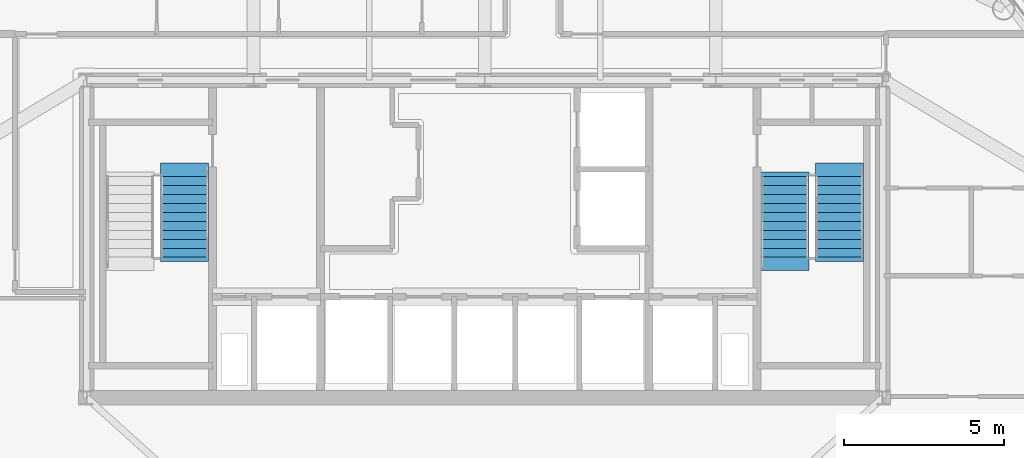
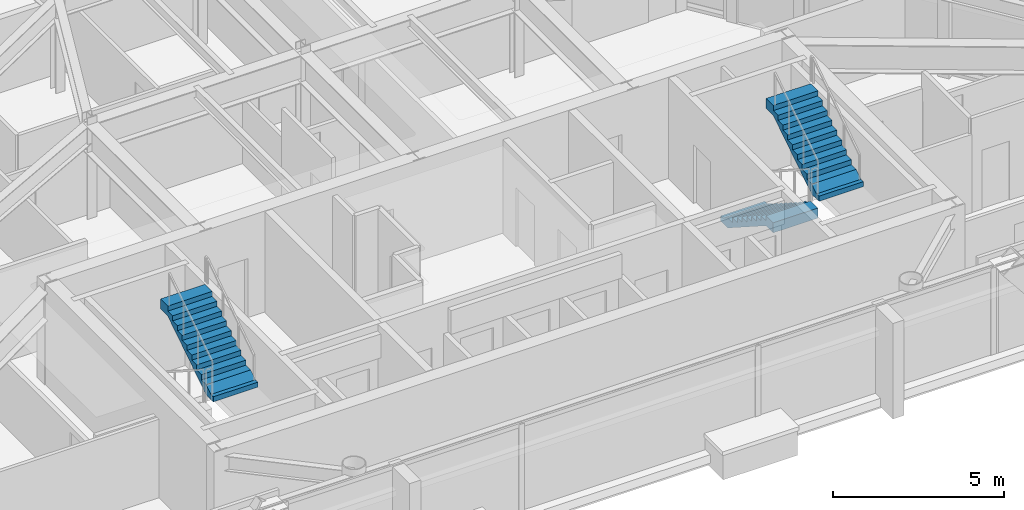
# One storey, part 11 of 13: 3 stair flights, 2 elements without a shape of their own.
"""IFC4 building model written with IfcOpenShell, lengths in metres."""

from ifc_helpers import new_model, si_unit, direction, frame, origin, place, context, subcontext, project, spatial, polyline, outline, extrude, material, layer, layer_set, type_object, element, aggregate, save


model = new_model("IFC4")

# Units and contexts
model_context = context("Model", 3, precision=1e-05, world=origin(), true_north=direction((0.0, 1.0)))
body_context = subcontext(model_context, "Body", "Model", "MODEL_VIEW")
ifc_project = project(units=[si_unit("LENGTHUNIT", "METRE"), si_unit("AREAUNIT", "SQUARE_METRE"), si_unit("VOLUMEUNIT", "CUBIC_METRE"), si_unit("PLANEANGLEUNIT", "RADIAN"), si_unit("MASSUNIT", "GRAM", prefix="KILO")], contexts=[model_context])

# Site, building, storey
site_placement = place(None, origin())
site = spatial("IfcSite", under=ifc_project, at=site_placement, CompositionType="ELEMENT")
building_placement = place(site_placement, origin())
building = spatial("IfcBuilding", under=site, at=building_placement, Name="Talgorran Terracotta Tower", CompositionType="ELEMENT")
storey_placement = place(building_placement, frame((0.0, 0.0, 132.89990234375)))
storey = spatial("IfcBuildingStorey", under=building, at=storey_placement, Name="L34", CompositionType="ELEMENT", Elevation=132.89990234375)

# Stair, stair flight
ifc_material = material(Name="Concrete C40/50", Category="concrete")
stair_type = type_object("IfcStairType", Name="ST_FIRE_SCISSOR", PredefinedType="HALF_TURN_STAIR", material=ifc_material)
stair_1_placement = place(storey_placement, origin())
stair_1 = element("IfcStair", 1, at=stair_1_placement, inside=storey, type_object=stair_type, Name="L34 West Protected Fire Stair ST-01", PredefinedType="HALF_TURN_STAIR")
ifc_layer = layer(ifc_material, 0.179931640625, Name="STF_RC_1500")
ifc_layer_set = layer_set([ifc_layer], Name="Concrete C40/50")
stair_flight_type = type_object("IfcStairFlightType", Name="STF_RC_1500", PredefinedType="STRAIGHT", material=ifc_layer_set)
stair_flight_1_placement = place(storey_placement, frame((-9.35009765625, -9.719970703125, 1.800048828125), z_axis=(0.0, 0.0, 1.0), x_axis=(0.0, 1.0, 0.0)))
stair_flight_1 = element("IfcStairFlight", 2, at=stair_flight_1_placement, type_object=stair_flight_type, Name="ST-01 flight 2", NumberOfRisers=10, NumberOfTreads=9, PredefinedType="STRAIGHT", RiserHeight=0.18, TreadLength=0.28, context=body_context, shape_type="SweptSolid", body=[
    extrude(outline(polyline([(-0.139892578125, 0.0), (-0.139892578125, 0.179931640625), (0.0, 0.179931640625), (0.280029296875, 0.360107421875), (0.56005859375, 0.360107421875), (0.56005859375, 0.5400390625), (0.840087890625, 0.5400390625), (0.840087890625, 0.719970703125), (1.1201171875, 0.719970703125), (1.1201171875, 0.89990234375), (1.39990234375, 0.89990234375), (1.39990234375, 1.080078125), (1.679931640625, 1.080078125), (1.679931640625, 1.260009765625), (1.9599609375, 1.260009765625), (1.9599609375, 1.43994140625), (2.239990234375, 1.43994140625), (2.239990234375, 1.6201171875), (2.52001953125, 1.6201171875), (2.52001953125, 1.800048828125), (2.93994140625, 1.800048828125), (2.93994140625, 1.44189453125), (2.52001953125, 1.44189453125), (0.277099609375, 0.0), (-0.139892578125, 0.0)])), frame((0.0, 0.75, 0.0), z_axis=(0.0, -1.0, 0.0), x_axis=(1.0, 0.0, 0.0)), (0.0, 0.0, 1.0), 1.5),
])
aggregate(stair_1, [stair_flight_1])

# Stair, stair flights
stair_2_placement = place(storey_placement, origin())
stair_2 = element("IfcStair", 3, at=stair_2_placement, inside=storey, type_object=stair_type, Name="L34 East Protected Fire Stair ST-02", PredefinedType="HALF_TURN_STAIR")
stair_flight_2_placement = place(storey_placement, frame((9.35009765625, -7.199951171875, 0.0), z_axis=(0.0, 0.0, 1.0), x_axis=(0.0, -1.0, 0.0)))
stair_flight_2 = element("IfcStairFlight", 4, at=stair_flight_2_placement, type_object=stair_flight_type, Name="ST-02 flight 1", NumberOfRisers=10, NumberOfTreads=9, PredefinedType="STRAIGHT", RiserHeight=0.18, TreadLength=0.28, context=body_context, shape_type="SweptSolid", body=[
    extrude(outline(polyline([(-0.139892578125, 0.0), (-0.139892578125, 0.179931640625), (0.0, 0.179931640625), (0.280029296875, 0.360107421875), (0.56005859375, 0.360107421875), (0.56005859375, 0.5400390625), (0.840087890625, 0.5400390625), (0.840087890625, 0.719970703125), (1.1201171875, 0.719970703125), (1.1201171875, 0.89990234375), (1.39990234375, 0.89990234375), (1.39990234375, 1.080078125), (1.679931640625, 1.080078125), (1.679931640625, 1.260009765625), (1.9599609375, 1.260009765625), (1.9599609375, 1.43994140625), (2.239990234375, 1.43994140625), (2.239990234375, 1.6201171875), (2.52001953125, 1.6201171875), (2.52001953125, 1.800048828125), (2.93994140625, 1.800048828125), (2.93994140625, 1.44189453125), (2.52001953125, 1.44189453125), (0.277099609375, 0.0), (-0.139892578125, 0.0)])), frame((0.0, 0.75, 0.0), z_axis=(0.0, -1.0, 0.0), x_axis=(1.0, 0.0, 0.0)), (0.0, 0.0, 1.0), 1.5),
])
stair_flight_3_placement = place(storey_placement, frame((11.050048828125, -9.719970703125, 1.800048828125), z_axis=(0.0, 0.0, 1.0), x_axis=(0.0, 1.0, 0.0)))
stair_flight_3 = element("IfcStairFlight", 5, at=stair_flight_3_placement, type_object=stair_flight_type, Name="ST-02 flight 2", NumberOfRisers=10, NumberOfTreads=9, PredefinedType="STRAIGHT", RiserHeight=0.18, TreadLength=0.28, context=body_context, shape_type="SweptSolid", body=[
    extrude(outline(polyline([(-0.139892578125, 0.0), (-0.139892578125, 0.179931640625), (0.0, 0.179931640625), (0.280029296875, 0.360107421875), (0.56005859375, 0.360107421875), (0.56005859375, 0.5400390625), (0.840087890625, 0.5400390625), (0.840087890625, 0.719970703125), (1.1201171875, 0.719970703125), (1.1201171875, 0.89990234375), (1.39990234375, 0.89990234375), (1.39990234375, 1.080078125), (1.679931640625, 1.080078125), (1.679931640625, 1.260009765625), (1.9599609375, 1.260009765625), (1.9599609375, 1.43994140625), (2.239990234375, 1.43994140625), (2.239990234375, 1.6201171875), (2.52001953125, 1.6201171875), (2.52001953125, 1.800048828125), (2.93994140625, 1.800048828125), (2.93994140625, 1.44189453125), (2.52001953125, 1.44189453125), (0.277099609375, 0.0), (-0.139892578125, 0.0)])), frame((0.0, 0.75, 0.0), z_axis=(0.0, -1.0, 0.0), x_axis=(1.0, 0.0, 0.0)), (0.0, 0.0, 1.0), 1.5),
])
aggregate(stair_2, [stair_flight_2, stair_flight_3])

save(model, "model.ifc")
